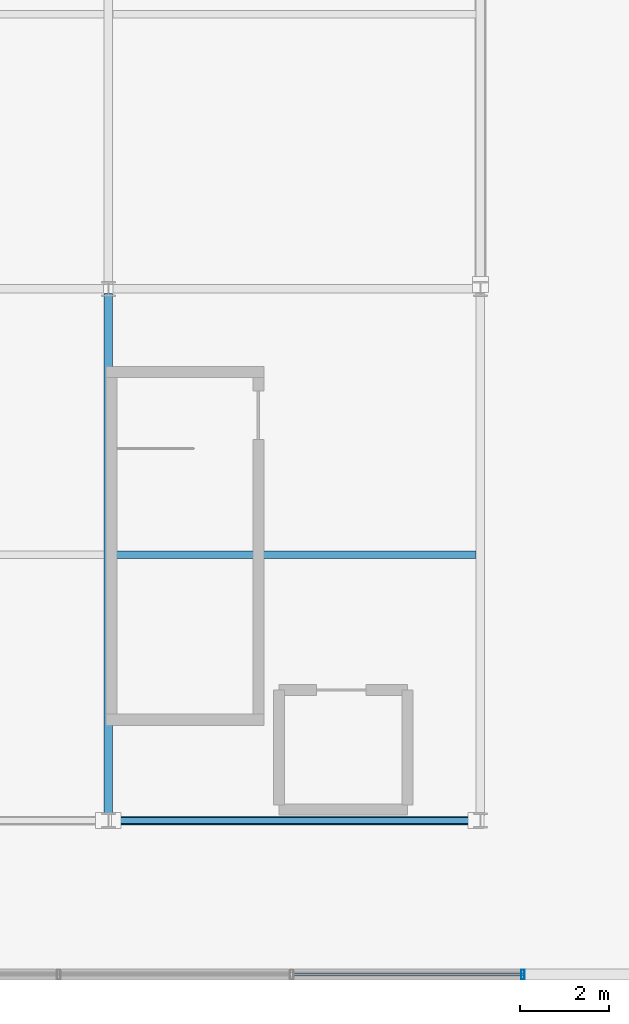
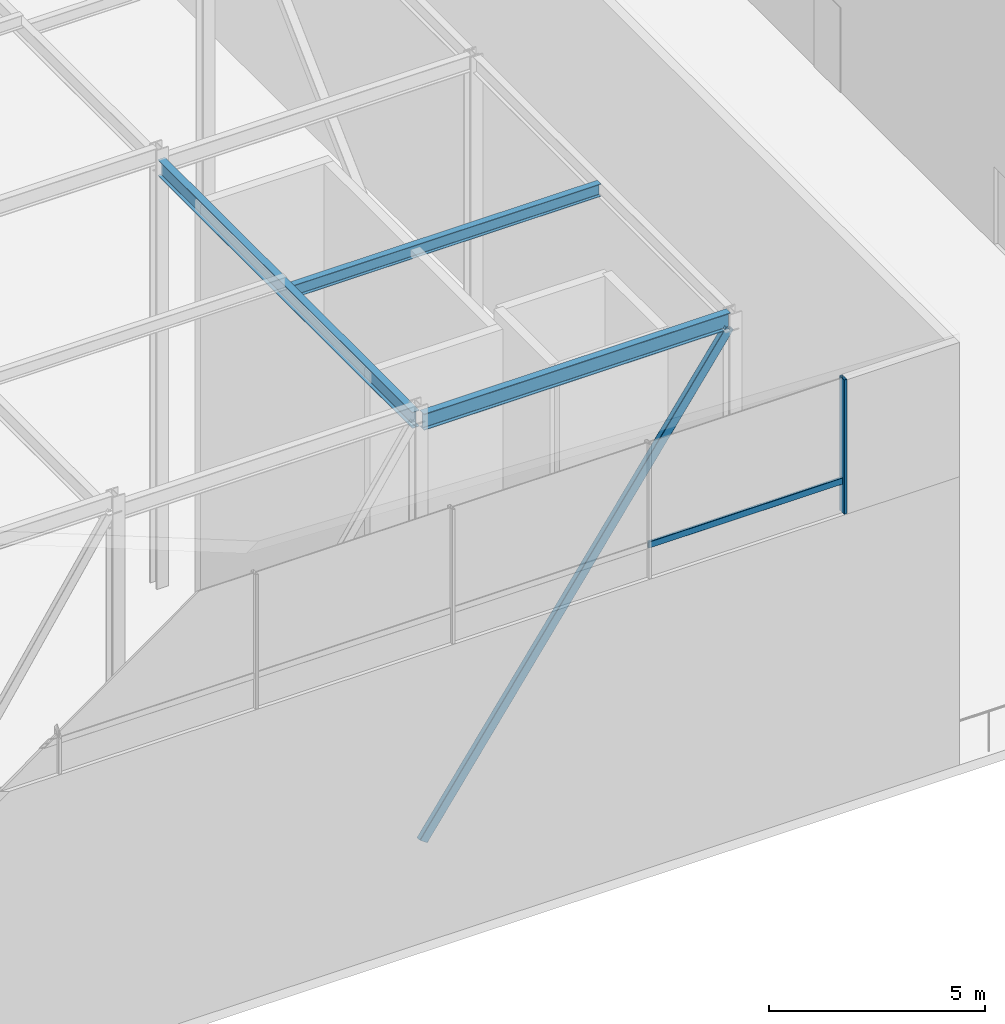
# One storey, part 9 of 39: 3 beams, 3 members, 1 element without a shape of its own.
"""IFC4 building model written with IfcOpenShell, lengths in metres."""

from ifc_helpers import new_model, si_unit, direction, frame, origin, origin_2d, place, context, subcontext, project, spatial, hollow_rectangle, i_section, extrude, material, layer, layer_set, material_profile, profile_set, type_object, element, aggregate, save


model = new_model("IFC4")

# Units and contexts
model_context = context("Model", 3, precision=1e-05, world=origin(), true_north=direction((0.0, 1.0)))
body_context = subcontext(model_context, "Body", "Model", "MODEL_VIEW")
ifc_project = project(units=[si_unit("LENGTHUNIT", "METRE"), si_unit("AREAUNIT", "SQUARE_METRE"), si_unit("VOLUMEUNIT", "CUBIC_METRE"), si_unit("PLANEANGLEUNIT", "RADIAN"), si_unit("MASSUNIT", "GRAM", prefix="KILO")], contexts=[model_context])

# Site, building, storey
site_placement = place(None, origin())
site = spatial("IfcSite", under=ifc_project, at=site_placement, CompositionType="ELEMENT")
building_placement = place(site_placement, origin())
building = spatial("IfcBuilding", under=site, at=building_placement, Name="Korimba Cascade Residences", CompositionType="ELEMENT")
storey_placement = place(building_placement, frame((0.0, 0.0, 264.199951171875)))
storey = spatial("IfcBuildingStorey", under=building, at=storey_placement, Name="RF", CompositionType="ELEMENT", Elevation=264.199951171875)

# Beams
ifc_material_1 = material(Name="Steel S355", Category="steel")
ifc_material_profile_1 = material_profile(ifc_material_1, i_section(OverallWidth=0.172119140625, OverallDepth=0.35791015625, WebThickness=0.008056640625, FlangeThickness=0.012939453125, FilletRadius=0.01025390625, at=origin_2d()), Name="Steel S355")
ifc_profile_set_1 = profile_set([ifc_material_profile_1], Name="Steel S355")
beam_type_1 = type_object("IfcBeamType", Name="BM-STL-UB356", PredefinedType="JOIST", material=ifc_profile_set_1)
beam_1_placement = place(storey_placement, frame((76.199951171875, 61.199951171875, 11.919677734375), z_axis=(1.0, 0.0, 0.0), x_axis=(0.0, 1.0, 0.0)))
element("IfcBeam", 1, at=beam_1_placement, inside=storey, type_object=beam_type_1, Name="RF Crown Cap Joist W1.3", PredefinedType="JOIST", context=body_context, shape_type="SweptSolid", body=[
    extrude(i_section(OverallWidth=0.172119140625, OverallDepth=0.35791015625, WebThickness=0.008056640625, FlangeThickness=0.012939453125, FilletRadius=0.01025390625, at=origin_2d()), origin(), (0.0, 0.0, 1.0), 8.199951171875),
])
ifc_material_profile_2 = material_profile(ifc_material_1, i_section(OverallWidth=0.19140625, OverallDepth=0.4599609375, WebThickness=0.010009765625, FlangeThickness=0.01611328125, FilletRadius=0.01025390625, at=origin_2d()), Name="Steel S355")
ifc_profile_set_2 = profile_set([ifc_material_profile_2], Name="Steel S355")
beam_type_2 = type_object("IfcBeamType", Name="BM-STL-UB457", PredefinedType="JOIST", material=ifc_profile_set_2)
beam_2_placement = place(storey_placement, frame((76.205078125, 55.199951171875, 11.86865234375), z_axis=(1.0, 0.0, 0.0), x_axis=(0.0, 1.0, 0.0)))
element("IfcBeam", 2, at=beam_2_placement, inside=storey, type_object=beam_type_2, Name="RF Crown Cap Ring Beam W1.3", PredefinedType="JOIST", context=body_context, shape_type="SweptSolid", body=[
    extrude(i_section(OverallWidth=0.19140625, OverallDepth=0.4599609375, WebThickness=0.010009765625, FlangeThickness=0.01611328125, FilletRadius=0.01025390625, at=origin_2d()), origin(), (0.0, 0.0, 1.0), 8.18994140625),
])
beam_3_placement = place(storey_placement, frame((76.10009765625, 55.304931640625, 11.86865234375), z_axis=(0.0, 1.0, 0.0), x_axis=(-1.0, 0.0, 0.0)))
element("IfcBeam", 3, at=beam_3_placement, inside=storey, type_object=beam_type_2, Name="RF Crown Cap Tie Beam W3.1", PredefinedType="JOIST", context=body_context, shape_type="SweptSolid", body=[
    extrude(i_section(OverallWidth=0.19140625, OverallDepth=0.4599609375, WebThickness=0.010009765625, FlangeThickness=0.01611328125, FilletRadius=0.01025390625, at=origin_2d()), origin(), (0.0, 0.0, 1.0), 11.7900390625),
])

# Curtain wall, members
ifc_material_2 = material(Name="Anodised Aluminium Curtain Wall Framing", Category="aluminium")
ifc_layer = layer(ifc_material_2, 0.179931640625)
ifc_layer_set = layer_set([ifc_layer], Name="Anodised Aluminium Curtain Wall Framing")
curtain_wall_type = type_object("IfcCurtainWallType", Name="CW-CRNW-SYS5", PredefinedType="NOTDEFINED", material=ifc_layer_set)
curtain_wall_placement = place(storey_placement, origin())
curtain_wall = element("IfcCurtainWall", 4, at=curtain_wall_placement, inside=storey, type_object=curtain_wall_type, Name="RF Curtain Wall CW-RF-CRN-W-3", PredefinedType="NOTDEFINED")
ifc_material_3 = material(Name="Anodised Aluminium Mullion", Category="aluminium")
ifc_material_profile_3 = material_profile(ifc_material_3, hollow_rectangle(XDim=0.080078125, YDim=0.219970703125, WallThickness=0.00634765625, InnerFilletRadius=0.00634765625, OuterFilletRadius=0.0126953125, at=origin_2d()), Name="Anodised Aluminium Mullion")
ifc_profile_set_3 = profile_set([ifc_material_profile_3], Name="Anodised Aluminium Mullion")
member_type_1 = type_object("IfcMemberType", Name="CWM-MUL-220", PredefinedType="MULLION", material=ifc_profile_set_3)
member_1_placement = place(storey_placement, frame((85.4599609375, 51.72509765625, 8.150146484375), z_axis=(0.0, 0.0, 1.0), x_axis=(1.0, 0.0, 0.0)))
member_1 = element("IfcMember", 5, at=member_1_placement, type_object=member_type_1, Name="CW-RF-CRN-W-3 Mullion 6", PredefinedType="MULLION", context=body_context, shape_type="SweptSolid", body=[
    extrude(hollow_rectangle(XDim=0.080078125, YDim=0.219970703125, WallThickness=0.00634765625, InnerFilletRadius=0.00634765625, OuterFilletRadius=0.0126953125, at=origin_2d()), origin(), (0.0, 0.0, 1.0), 3.7998046875),
])
ifc_material_4 = material(Name="Anodised Aluminium Transom", Category="aluminium")
ifc_material_profile_4 = material_profile(ifc_material_4, hollow_rectangle(XDim=0.070068359375, YDim=0.179931640625, WallThickness=0.0048828125, InnerFilletRadius=0.0048828125, OuterFilletRadius=0.010009765625, at=origin_2d()), Name="Anodised Aluminium Transom")
ifc_profile_set_4 = profile_set([ifc_material_profile_4], Name="Anodised Aluminium Transom")
member_type_2 = type_object("IfcMemberType", Name="CWM-TRN-150", PredefinedType="USERDEFINED", material=ifc_profile_set_4)
member_2_placement = place(storey_placement, frame((80.239990234375, 51.72509765625, 9.050048828125), z_axis=(1.0, 0.0, 0.0), x_axis=(0.0, 1.0, 0.0)))
member_2 = element("IfcMember", 6, at=member_2_placement, type_object=member_type_2, Name="CW-RF-CRN-W-3 Transom 5", ObjectType="TRANSOM", PredefinedType="USERDEFINED", context=body_context, shape_type="SweptSolid", body=[
    extrude(hollow_rectangle(XDim=0.070068359375, YDim=0.179931640625, WallThickness=0.0048828125, InnerFilletRadius=0.0048828125, OuterFilletRadius=0.010009765625, at=origin_2d()), origin(), (0.0, 0.0, 1.0), 5.219970703125),
])
aggregate(curtain_wall, [member_1, member_2])

# Member
ifc_material_profile_5 = material_profile(ifc_material_1, hollow_rectangle(XDim=0.14990234375, YDim=0.25, WallThickness=0.009033203125, InnerFilletRadius=0.009033203125, OuterFilletRadius=0.01806640625, at=origin_2d()), Name="Steel S355")
ifc_profile_set_5 = profile_set([ifc_material_profile_5], Name="Steel S355")
member_type_3 = type_object("IfcMemberType", Name="MEM-CRN-RHS250", PredefinedType="BRACE", material=ifc_profile_set_5)
member_3_placement = place(storey_placement, frame((76.205078125, 55.199951171875, 0.0), z_axis=(0.57528863557, 0.0, 0.817950478809), x_axis=(0.0, 1.0, 0.0)))
element("IfcMember", 7, at=member_3_placement, inside=storey, type_object=member_type_3, Name="RF CROWN FRAME Diagonal Brace W1.3", PredefinedType="BRACE", context=body_context, shape_type="SweptSolid", body=[
    extrude(hollow_rectangle(XDim=0.14990234375, YDim=0.25, WallThickness=0.009033203125, InnerFilletRadius=0.009033203125, OuterFilletRadius=0.01806640625, at=origin_2d()), origin(), (0.0, 0.0, 1.0), 14.236328125),
])

save(model, "model.ifc")
